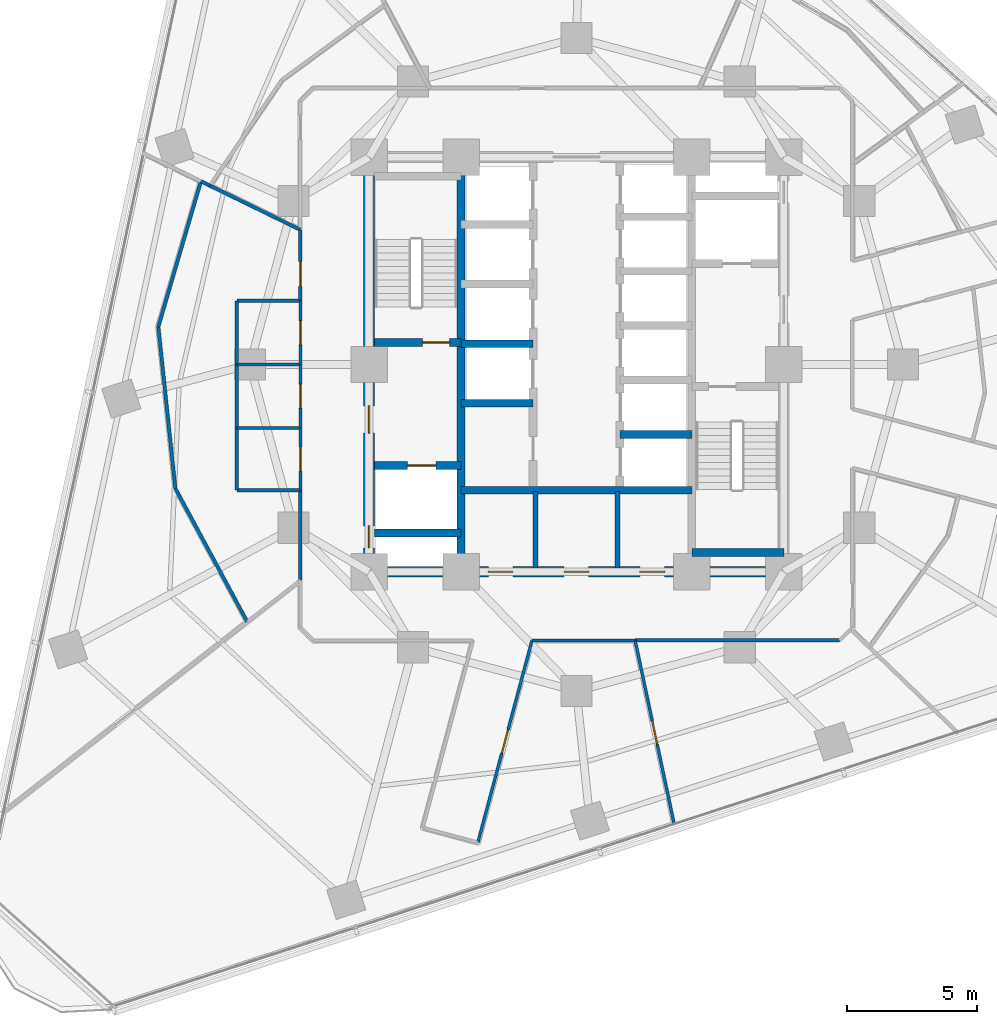
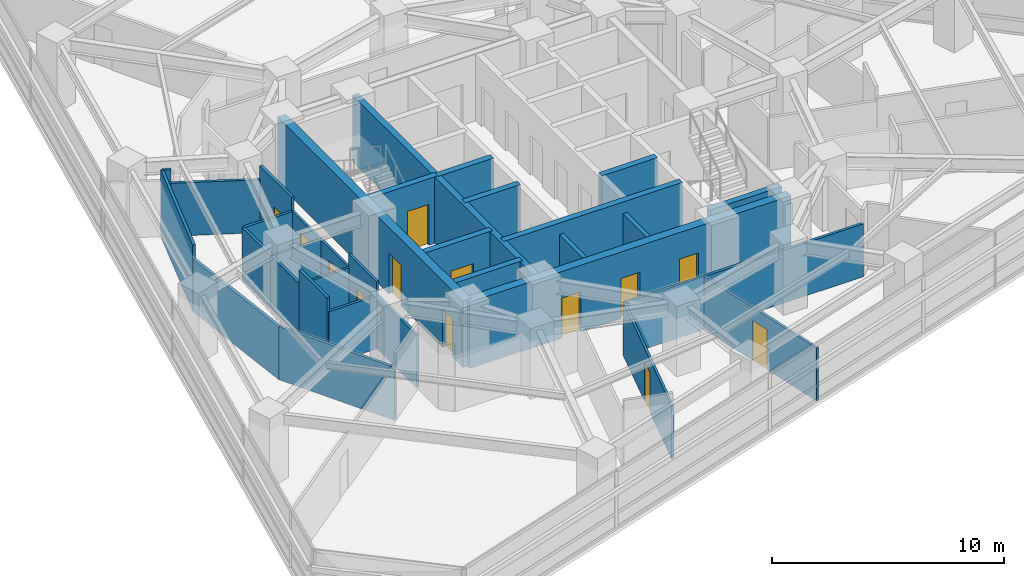
# One storey, part 7 of 13: 34 walls, 13 doors, 13 openings.
"""IFC4 building model written with IfcOpenShell, lengths in metres."""

from ifc_helpers import new_model, si_unit, direction, frame, frame_2d, origin, place, context, subcontext, project, spatial, rectangle, extrude, material, layer, layer_set, type_object, element, fill, save


model = new_model("IFC4")

# Units and contexts
model_context = context("Model", 3, precision=1e-05, world=origin(), true_north=direction((0.0, 1.0)))
body_context = subcontext(model_context, "Body", "Model", "MODEL_VIEW")
ifc_project = project(units=[si_unit("LENGTHUNIT", "METRE"), si_unit("AREAUNIT", "SQUARE_METRE"), si_unit("VOLUMEUNIT", "CUBIC_METRE"), si_unit("PLANEANGLEUNIT", "RADIAN"), si_unit("MASSUNIT", "GRAM", prefix="KILO")], contexts=[model_context])

# Site, building, storey
site_placement = place(None, origin())
site = spatial("IfcSite", under=ifc_project, at=site_placement, CompositionType="ELEMENT")
building_placement = place(site_placement, origin())
building = spatial("IfcBuilding", under=site, at=building_placement, Name="Terralouvre Media Tower", CompositionType="ELEMENT")
storey_placement = place(building_placement, frame((0.0, 0.0, 108.800048828125)))
storey = spatial("IfcBuildingStorey", under=building, at=storey_placement, Name="L27", CompositionType="ELEMENT", Elevation=108.800048828125)

# Wall
ifc_material_1 = material(Name="Concrete C50/60", Category="concrete")
ifc_layer_1 = layer(ifc_material_1, 0.300048828125, Name="Core Internal Shaft Wall CW-300")
ifc_layer_set_1 = layer_set([ifc_layer_1], Name="Concrete C50/60")
wall_type_1 = type_object("IfcWallType", Name="Core Internal Shaft Wall CW-300", PredefinedType="SHEAR", material=ifc_layer_set_1)
wall_1_placement = place(storey_placement, frame((-4.449951171875, -7.7900390625, 0.0), z_axis=(0.0, 0.0, 1.0), x_axis=(0.0, 1.0, 0.0)))
element("IfcWall", 1, at=wall_1_placement, inside=storey, type_object=wall_type_1, Name="L27 Core Shaft Wall SPW", PredefinedType="SHEAR", context=body_context, shape_type="SweptSolid", body=[
    extrude(rectangle(XDim=15.580078125, YDim=0.300048828125, at=frame_2d((7.7900390625, 0.0))), origin(), (0.0, 0.0, 1.0), 3.5),
])

# Wall, opening, door
wall_2_placement = place(storey_placement, frame((-7.7900390625, 0.85009765625, 0.0), z_axis=(0.0, 0.0, 1.0), x_axis=(1.0, 0.0, 0.0)))
wall_2 = element("IfcWall", 2, at=wall_2_placement, inside=storey, type_object=wall_type_1, Name="L27 Core Shaft Wall ST1D", PredefinedType="SHEAR", context=body_context, shape_type="SweptSolid", body=[
    extrude(rectangle(XDim=3.340087890625, YDim=0.300048828125, at=frame_2d((1.669921875, 0.0))), origin(), (0.0, 0.0, 1.0), 3.5),
])
opening_1_placement = place(wall_2_placement, frame((1.85009765625, 0.0, 0.0)))
opening_1 = element("IfcOpeningElement", 3, at=opening_1_placement, cuts=wall_2, Name="Opening FD-01-105X215", PredefinedType="OPENING", context=body_context, shape_type="SweptSolid", body=[
    extrude(rectangle(XDim=1.050048828125, YDim=2.14990234375, at=frame_2d((0.52490234375, 1.074951171875))), frame((0.0, 0.159912109375, 0.0), z_axis=(0.0, -1.0, 0.0), x_axis=(1.0, 0.0, 0.0)), (0.0, 0.0, 1.0), 0.320068359375),
])
ifc_material_2 = material(Name="Galvanised steel fire-resisting leaf", Category="steel")
door_type_1 = type_object("IfcDoorType", Name="Stair and Firefighting Lobby Fire Door FD-01 (1050x2150)", OperationType="NOTDEFINED", PredefinedType="DOOR", material=ifc_material_2)
door_1_placement = place(opening_1_placement, origin())
door_1 = element("IfcDoor", 4, at=door_1_placement, inside=storey, type_object=door_type_1, Name="L27 ST-01 Exit Stair Door", OperationType="SINGLE_SWING_LEFT", OverallHeight=2.14990234375, OverallWidth=1.050048828125, PredefinedType="DOOR", context=body_context, shape_type="SweptSolid", body=[
    extrude(rectangle(XDim=1.050048828125, YDim=2.14990234375, at=frame_2d((0.52490234375, 1.074951171875))), frame((0.0, 0.02490234375, 0.0), z_axis=(0.0, -1.0, 0.0), x_axis=(1.0, 0.0, 0.0)), (0.0, 0.0, 1.0), 0.050048828125),
])
fill(opening_1, door_1)

# Wall
wall_3_placement = place(storey_placement, frame((4.449951171875, -7.260009765625, 0.0), z_axis=(0.0, 0.0, 1.0), x_axis=(1.0, 0.0, 0.0)))
element("IfcWall", 5, at=wall_3_placement, inside=storey, type_object=wall_type_1, Name="L27 Core Shaft Wall ST2F", PredefinedType="SHEAR", context=body_context, shape_type="SweptSolid", body=[
    extrude(rectangle(XDim=3.550048828125, YDim=0.300048828125, at=frame_2d((1.77490234375, 0.0))), origin(), (0.0, 0.0, 1.0), 3.5),
])

# Wall, opening, door
wall_4_placement = place(storey_placement, frame((-7.7900390625, -3.89990234375, 0.0), z_axis=(0.0, 0.0, 1.0), x_axis=(1.0, 0.0, 0.0)))
wall_4 = element("IfcWall", 6, at=wall_4_placement, inside=storey, type_object=wall_type_1, Name="L27 Core Shaft Wall FF1N", PredefinedType="SHEAR", context=body_context, shape_type="SweptSolid", body=[
    extrude(rectangle(XDim=3.340087890625, YDim=0.300048828125, at=frame_2d((1.669921875, 0.0))), origin(), (0.0, 0.0, 1.0), 3.5),
])
opening_2_placement = place(wall_4_placement, frame((1.27001953125, 0.0, 0.0)))
opening_2 = element("IfcOpeningElement", 7, at=opening_2_placement, cuts=wall_4, Name="Opening LD-FF", PredefinedType="OPENING", context=body_context, shape_type="SweptSolid", body=[
    extrude(rectangle(XDim=1.10009765625, YDim=2.10009765625, at=frame_2d((0.550048828125, 1.050048828125))), frame((0.0, 0.159912109375, 0.0), z_axis=(0.0, -1.0, 0.0), x_axis=(1.0, 0.0, 0.0)), (0.0, 0.0, 1.0), 0.320068359375),
])
ifc_material_3 = material(Name="Stainless steel 316 handrail and balustrade", Category="steel")
door_type_2 = type_object("IfcDoorType", Name="Firefighting Lift Sliding Landing Door LD-FF", OperationType="SLIDING_TO_LEFT", PredefinedType="DOOR", material=ifc_material_3)
door_2_placement = place(opening_2_placement, origin())
door_2 = element("IfcDoor", 8, at=door_2_placement, inside=storey, type_object=door_type_2, Name="L27 Firefighting Lift FFL-01 Landing Door", OperationType="SLIDING_TO_LEFT", OverallHeight=2.10009765625, OverallWidth=1.10009765625, PredefinedType="DOOR", context=body_context, shape_type="SweptSolid", body=[
    extrude(rectangle(XDim=1.10009765625, YDim=2.10009765625, at=frame_2d((0.550048828125, 1.050048828125))), frame((0.0, 0.02490234375, 0.0), z_axis=(0.0, -1.0, 0.0), x_axis=(1.0, 0.0, 0.0)), (0.0, 0.0, 1.0), 0.050048828125),
])
fill(opening_2, door_2)

# Walls
wall_5_placement = place(storey_placement, frame((-7.7900390625, -6.5, 0.0), z_axis=(0.0, 0.0, 1.0), x_axis=(1.0, 0.0, 0.0)))
element("IfcWall", 9, at=wall_5_placement, inside=storey, type_object=wall_type_1, Name="L27 Core Shaft Wall FF1S", PredefinedType="SHEAR", context=body_context, shape_type="SweptSolid", body=[
    extrude(rectangle(XDim=3.340087890625, YDim=0.300048828125, at=frame_2d((1.669921875, 0.0))), origin(), (0.0, 0.0, 1.0), 3.5),
])
wall_6_placement = place(storey_placement, frame((-4.449951171875, -4.85009765625, 0.0), z_axis=(0.0, 0.0, 1.0), x_axis=(1.0, 0.0, 0.0)))
element("IfcWall", 10, at=wall_6_placement, inside=storey, type_object=wall_type_1, Name="L27 Core Shaft Wall CSBN", PredefinedType="SHEAR", context=body_context, shape_type="SweptSolid", body=[
    extrude(rectangle(XDim=8.89990234375, YDim=0.300048828125, at=frame_2d((4.449951171875, 0.0))), origin(), (0.0, 0.0, 1.0), 3.5),
])
for number, where, z_axis, x_axis, name in (
    (11, (-4.449951171875, -1.5, 0.0), (0.0, 0.0, 1.0), (1.0, 0.0, 0.0), "L27 Core Shaft Wall PLLD0"),
    (12, (-4.449951171875, 0.800048828125, 0.0), (0.0, 0.0, 1.0), (1.0, 0.0, 0.0), "L27 Core Shaft Wall PLLD1"),
    (13, (1.679931640625, -2.699951171875, 0.0), (0.0, 0.0, 1.0), (1.0, 0.0, 0.0), "L27 Core Shaft Wall PLHD1"),
):
    element("IfcWall", number, at=place(storey_placement, frame(where, z_axis=z_axis, x_axis=x_axis)), inside=storey, type_object=wall_type_1, Name=name, PredefinedType="SHEAR", context=body_context, shape_type="SweptSolid", body=[
        extrude(rectangle(XDim=2.77001953125, YDim=0.300048828125, at=frame_2d((1.385009765625, 0.0))), origin(), (0.0, 0.0, 1.0), 3.5),
    ])

# Wall, openings, doors
ifc_material_4 = material(Name="Concrete C60/75", Category="concrete")
ifc_layer_2 = layer(ifc_material_4, 0.419921875, Name="Core Reinforced Concrete Shear Wall CW-420")
ifc_layer_set_2 = layer_set([ifc_layer_2], Name="Concrete C60/75")
wall_type_2 = type_object("IfcWallType", Name="Core Reinforced Concrete Shear Wall CW-420", PredefinedType="SHEAR", material=ifc_layer_set_2)
wall_7_placement = place(storey_placement, frame((-8.0, -8.0, 0.0), z_axis=(0.0, 0.0, 1.0), x_axis=(0.0, 1.0, 0.0)))
wall_7 = element("IfcWall", 14, at=wall_7_placement, inside=storey, type_object=wall_type_2, Name="L27 W Core Shear Wall", PredefinedType="SHEAR", context=body_context, shape_type="SweptSolid", body=[
    extrude(rectangle(XDim=16.0, YDim=0.419921875, at=frame_2d((8.0, 0.0))), origin(), (0.0, 0.0, 1.0), 3.5),
])
opening_3_placement = place(wall_7_placement, frame((0.921630859375, 0.0, 0.0)))
opening_3 = element("IfcOpeningElement", 15, at=opening_3_placement, cuts=wall_7, Name="Opening TD-R1", PredefinedType="OPENING", context=body_context, shape_type="SweptSolid", body=[
    extrude(rectangle(XDim=0.85009765625, YDim=2.02001953125, at=frame_2d((0.425048828125, 1.010009765625))), frame((0.0, 0.219970703125, 0.0), z_axis=(0.0, -1.0, 0.0), x_axis=(1.0, 0.0, 0.0)), (0.0, 0.0, 1.0), 0.43994140625),
])
opening_4_placement = place(wall_7_placement, frame((5.35009765625, 0.0, 0.0)))
opening_4 = element("IfcOpeningElement", 16, at=opening_4_placement, cuts=wall_7, Name="Opening FD-01-105X215", PredefinedType="OPENING", context=body_context, shape_type="SweptSolid", body=[
    extrude(rectangle(XDim=1.050048828125, YDim=2.14990234375, at=frame_2d((0.52490234375, 1.074951171875))), frame((0.0, 0.219970703125, 0.0), z_axis=(0.0, -1.0, 0.0), x_axis=(1.0, 0.0, 0.0)), (0.0, 0.0, 1.0), 0.43994140625),
])
ifc_material_5 = material(Name="Galvanised steel fire-resisting leaf", Category="steel")
door_type_3 = type_object("IfcDoorType", Name="Riser Inspection Access Trapdoor TD-R1", OperationType="NOTDEFINED", PredefinedType="TRAPDOOR", material=ifc_material_5)
door_3_placement = place(opening_3_placement, origin())
door_3 = element("IfcDoor", 17, at=door_3_placement, inside=storey, type_object=door_type_3, Name="L27 Wet Riser Access Trapdoor", OperationType="SINGLE_SWING_LEFT", OverallHeight=2.02001953125, OverallWidth=0.85009765625, PredefinedType="TRAPDOOR", context=body_context, shape_type="SweptSolid", body=[
    extrude(rectangle(XDim=0.85009765625, YDim=2.02001953125, at=frame_2d((0.425048828125, 1.010009765625))), frame((0.0, 0.02490234375, 0.0), z_axis=(0.0, -1.0, 0.0), x_axis=(1.0, 0.0, 0.0)), (0.0, 0.0, 1.0), 0.050048828125),
])
fill(opening_3, door_3)
door_4_placement = place(opening_4_placement, origin())
door_4 = element("IfcDoor", 18, at=door_4_placement, inside=storey, type_object=door_type_1, Name="L27 West Firefighting Lobby Entry Door", OperationType="SINGLE_SWING_RIGHT", OverallHeight=2.14990234375, OverallWidth=1.050048828125, PredefinedType="DOOR", context=body_context, shape_type="SweptSolid", body=[
    extrude(rectangle(XDim=1.050048828125, YDim=2.14990234375, at=frame_2d((0.52490234375, 1.074951171875))), frame((0.0, 0.02490234375, 0.0), z_axis=(0.0, -1.0, 0.0), x_axis=(1.0, 0.0, 0.0)), (0.0, 0.0, 1.0), 0.050048828125),
])
fill(opening_4, door_4)

wall_8_placement = place(storey_placement, frame((-8.0, -8.0, 0.0), z_axis=(0.0, 0.0, 1.0), x_axis=(1.0, 0.0, 0.0)))
wall_8 = element("IfcWall", 19, at=wall_8_placement, inside=storey, type_object=wall_type_2, Name="L27 S Core Shear Wall", PredefinedType="SHEAR", context=body_context, shape_type="SweptSolid", body=[
    extrude(rectangle(XDim=16.0, YDim=0.419921875, at=frame_2d((8.0, 0.0))), origin(), (0.0, 0.0, 1.0), 3.5),
])
opening_5_placement = place(wall_8_placement, frame((4.60009765625, 0.0, 0.0)))
opening_5 = element("IfcOpeningElement", 20, at=opening_5_placement, cuts=wall_8, Name="Opening FD-02-95X210", PredefinedType="OPENING", context=body_context, shape_type="SweptSolid", body=[
    extrude(rectangle(XDim=0.949951171875, YDim=2.10009765625, at=frame_2d((0.47509765625, 1.050048828125))), frame((0.0, 0.219970703125, 0.0), z_axis=(0.0, -1.0, 0.0), x_axis=(1.0, 0.0, 0.0)), (0.0, 0.0, 1.0), 0.43994140625),
])
opening_6_placement = place(wall_8_placement, frame((7.52001953125, 0.0, 0.0)))
opening_6 = element("IfcOpeningElement", 21, at=opening_6_placement, cuts=wall_8, Name="Opening FD-02-95X210", PredefinedType="OPENING", context=body_context, shape_type="SweptSolid", body=[
    extrude(rectangle(XDim=0.949951171875, YDim=2.10009765625, at=frame_2d((0.47509765625, 1.050048828125))), frame((0.0, 0.219970703125, 0.0), z_axis=(0.0, -1.0, 0.0), x_axis=(1.0, 0.0, 0.0)), (0.0, 0.0, 1.0), 0.43994140625),
])
opening_7_placement = place(wall_8_placement, frame((10.449951171875, 0.0, 0.0)))
opening_7 = element("IfcOpeningElement", 22, at=opening_7_placement, cuts=wall_8, Name="Opening FD-02-95X210", PredefinedType="OPENING", context=body_context, shape_type="SweptSolid", body=[
    extrude(rectangle(XDim=0.949951171875, YDim=2.10009765625, at=frame_2d((0.47509765625, 1.050048828125))), frame((0.0, 0.219970703125, 0.0), z_axis=(0.0, -1.0, 0.0), x_axis=(1.0, 0.0, 0.0)), (0.0, 0.0, 1.0), 0.43994140625),
])
ifc_material_6 = material(Name="Galvanised steel fire-resisting leaf", Category="steel")
door_type_4 = type_object("IfcDoorType", Name="Plant and Riser Fire Door FD-02 (950x2100)", OperationType="NOTDEFINED", PredefinedType="DOOR", material=ifc_material_6)
door_5_placement = place(opening_5_placement, origin())
door_5 = element("IfcDoor", 23, at=door_5_placement, inside=storey, type_object=door_type_4, Name="L27 Core Janitor Store Door", OperationType="SINGLE_SWING_LEFT", OverallHeight=2.10009765625, OverallWidth=0.949951171875, PredefinedType="DOOR", context=body_context, shape_type="SweptSolid", body=[
    extrude(rectangle(XDim=0.949951171875, YDim=2.10009765625, at=frame_2d((0.47509765625, 1.050048828125))), frame((0.0, 0.02490234375, 0.0), z_axis=(0.0, -1.0, 0.0), x_axis=(1.0, 0.0, 0.0)), (0.0, 0.0, 1.0), 0.050048828125),
])
fill(opening_5, door_5)
door_6_placement = place(opening_6_placement, origin())
door_6 = element("IfcDoor", 24, at=door_6_placement, inside=storey, type_object=door_type_4, Name="L27 Core Linen Store Door", OperationType="SINGLE_SWING_RIGHT", OverallHeight=2.10009765625, OverallWidth=0.949951171875, PredefinedType="DOOR", context=body_context, shape_type="SweptSolid", body=[
    extrude(rectangle(XDim=0.949951171875, YDim=2.10009765625, at=frame_2d((0.47509765625, 1.050048828125))), frame((0.0, 0.02490234375, 0.0), z_axis=(0.0, -1.0, 0.0), x_axis=(1.0, 0.0, 0.0)), (0.0, 0.0, 1.0), 0.050048828125),
])
fill(opening_6, door_6)
door_7_placement = place(opening_7_placement, origin())
door_7 = element("IfcDoor", 25, at=door_7_placement, inside=storey, type_object=door_type_4, Name="L27 Core Metering Plant Door", OperationType="SINGLE_SWING_LEFT", OverallHeight=2.10009765625, OverallWidth=0.949951171875, PredefinedType="DOOR", context=body_context, shape_type="SweptSolid", body=[
    extrude(rectangle(XDim=0.949951171875, YDim=2.10009765625, at=frame_2d((0.47509765625, 1.050048828125))), frame((0.0, 0.02490234375, 0.0), z_axis=(0.0, -1.0, 0.0), x_axis=(1.0, 0.0, 0.0)), (0.0, 0.0, 1.0), 0.050048828125),
])
fill(opening_7, door_7)

# Walls
ifc_material_7 = material(Name="Fire-rated gypsum board drywall partition")
ifc_layer_3 = layer(ifc_material_7, 0.199951171875, Name="Fire-Rated Shaft and Lobby Partition FW-200")
ifc_layer_set_3 = layer_set([ifc_layer_3], Name="Fire-rated gypsum board drywall partition")
wall_type_3 = type_object("IfcWallType", Name="Fire-Rated Shaft and Lobby Partition FW-200", PredefinedType="SOLIDWALL", material=ifc_layer_set_3)
for number, where, z_axis, x_axis, name in (
    (26, (-1.580078125, -7.85009765625, 0.0), (0.0, 0.0, 1.0), (0.0, 1.0, 0.0), "L27 Core Service Bay Partition 1"),
    (27, (1.580078125, -7.85009765625, 0.0), (0.0, 0.0, 1.0), (0.0, 1.0, 0.0), "L27 Core Service Bay Partition 2"),
):
    element("IfcWall", number, at=place(storey_placement, frame(where, z_axis=z_axis, x_axis=x_axis)), inside=storey, type_object=wall_type_3, Name=name, PredefinedType="SOLIDWALL", context=body_context, shape_type="SweptSolid", body=[
        extrude(rectangle(XDim=2.9501953125, YDim=0.199951171875, at=frame_2d((1.47509765625, 0.0))), origin(), (0.0, 0.0, 1.0), 2.885009765625),
    ])
ifc_material_8 = material(Name="Fire-rated gypsum board drywall partition")
ifc_layer_4 = layer(ifc_material_8, 0.135009765625, Name="Newsroom Acoustic Partition PT-135")
ifc_layer_set_4 = layer_set([ifc_layer_4], Name="Fire-rated gypsum board drywall partition")
wall_type_4 = type_object("IfcWallType", Name="Newsroom Acoustic Partition PT-135", PredefinedType="PARTITIONING", material=ifc_layer_set_4)
wall_9_placement = place(storey_placement, frame((-10.64990234375, -4.85009765625, 0.0), z_axis=(0.0, 0.0, 1.0), x_axis=(0.0, -1.0, 0.0)))
element("IfcWall", 28, at=wall_9_placement, inside=storey, type_object=wall_type_4, Name="L27 Interior Partition 021", PredefinedType="PARTITIONING", context=body_context, shape_type="SweptSolid", body=[
    extrude(rectangle(XDim=3.470947265625, YDim=0.135009765625, at=frame_2d((1.7353515625, 0.0))), origin(), (0.0, 0.0, 1.0), 2.784912109375),
])

# Wall, opening, door
wall_10_placement = place(storey_placement, frame((-10.64990234375, 5.194091796875, 0.0), z_axis=(0.0, 0.0, 1.0), x_axis=(0.0, -1.0, 0.0)))
wall_10 = element("IfcWall", 29, at=wall_10_placement, inside=storey, type_object=wall_type_4, Name="L27 Interior Partition 022", PredefinedType="PARTITIONING", context=body_context, shape_type="SweptSolid", body=[
    extrude(rectangle(XDim=2.744140625, YDim=0.135009765625, at=frame_2d((1.3720703125, 0.0))), origin(), (0.0, 0.0, 1.0), 3.5),
])
opening_8_placement = place(wall_10_placement, frame((1.226318359375, 0.0, 0.0)))
opening_8 = element("IfcOpeningElement", 30, at=opening_8_placement, cuts=wall_10, Name="Opening ID-02-95X210", PredefinedType="OPENING", context=body_context, shape_type="SweptSolid", body=[
    extrude(rectangle(XDim=0.949951171875, YDim=2.10009765625, at=frame_2d((0.47509765625, 1.050048828125))), frame((0.0, 0.077392578125, 0.0), z_axis=(0.0, -1.0, 0.0), x_axis=(1.0, 0.0, 0.0)), (0.0, 0.0, 1.0), 0.155029296875),
])
ifc_material_9 = material(Name="Engineered hardwood acoustic timber leaf", Category="wood")
door_type_5 = type_object("IfcDoorType", Name="Office and Meeting Room Door ID-02 (950x2100)", OperationType="NOTDEFINED", PredefinedType="DOOR", material=ifc_material_9)
door_8_placement = place(opening_8_placement, origin())
door_8 = element("IfcDoor", 31, at=door_8_placement, inside=storey, type_object=door_type_5, Name="L27 Gym Equipment Closet 6 Door", OperationType="SINGLE_SWING_LEFT", OverallHeight=2.10009765625, OverallWidth=0.949951171875, PredefinedType="DOOR", context=body_context, shape_type="SweptSolid", body=[
    extrude(rectangle(XDim=0.949951171875, YDim=2.10009765625, at=frame_2d((0.47509765625, 1.050048828125))), frame((0.0, 0.02490234375, 0.0), z_axis=(0.0, -1.0, 0.0), x_axis=(1.0, 0.0, 0.0)), (0.0, 0.0, 1.0), 0.050048828125),
])
fill(opening_8, door_8)

# Walls
wall_11_placement = place(storey_placement, frame((2.263916015625, -10.64990234375, 0.0), z_axis=(0.0, 0.0, 1.0), x_axis=(1.0, 0.0, 0.0)))
element("IfcWall", 32, at=wall_11_placement, inside=storey, type_object=wall_type_4, Name="L27 Interior Partition 025", PredefinedType="PARTITIONING", context=body_context, shape_type="SweptSolid", body=[
    extrude(rectangle(XDim=7.885986328125, YDim=0.135009765625, at=frame_2d((3.94287109375, 0.0))), origin(), (0.0, 0.0, 1.0), 2.784912109375),
])
wall_12_placement = place(storey_placement, frame((-13.10009765625, -2.449951171875, 0.0), z_axis=(0.0, 0.0, 1.0), x_axis=(0.0, 1.0, 0.0)))
element("IfcWall", 33, at=wall_12_placement, inside=storey, type_object=wall_type_4, Name="L27 Interior Partition 048", PredefinedType="PARTITIONING", context=body_context, shape_type="SweptSolid", body=[
    extrude(rectangle(XDim=2.449951171875, YDim=0.135009765625, at=frame_2d((1.22509765625, 0.0))), origin(), (0.0, 0.0, 1.0), 2.77490234375),
])
wall_13_placement = place(storey_placement, frame((-10.64990234375, -4.85009765625, 0.0), z_axis=(0.0, 0.0, 1.0), x_axis=(-1.0, 0.0, 0.0)))
element("IfcWall", 34, at=wall_13_placement, inside=storey, type_object=wall_type_4, Name="L27 Interior Partition 049", PredefinedType="PARTITIONING", context=body_context, shape_type="SweptSolid", body=[
    extrude(rectangle(XDim=2.4501953125, YDim=0.135009765625, at=frame_2d((1.22509765625, 0.0))), origin(), (0.0, 0.0, 1.0), 2.784912109375),
])
wall_14_placement = place(storey_placement, frame((-13.10009765625, -4.85009765625, 0.0), z_axis=(0.0, 0.0, 1.0), x_axis=(0.0, 1.0, 0.0)))
element("IfcWall", 35, at=wall_14_placement, inside=storey, type_object=wall_type_4, Name="L27 Interior Partition 050", PredefinedType="PARTITIONING", context=body_context, shape_type="SweptSolid", body=[
    extrude(rectangle(XDim=2.400146484375, YDim=0.135009765625, at=frame_2d((1.2001953125, 0.0))), origin(), (0.0, 0.0, 1.0), 3.5),
])
wall_15_placement = place(storey_placement, frame((-14.490966796875, 7.068115234375, 0.0), z_axis=(0.0, 0.0, 1.0), x_axis=(-0.28111457881, -0.95967421221, 0.0)))
element("IfcWall", 36, at=wall_15_placement, inside=storey, type_object=wall_type_4, Name="L27 Interior Partition 051", PredefinedType="PARTITIONING", context=body_context, shape_type="SweptSolid", body=[
    extrude(rectangle(XDim=5.8447265625, YDim=0.135009765625, at=frame_2d((2.92236328125, 0.0))), origin(), (0.0, 0.0, 1.0), 3.489990234375),
])
wall_16_placement = place(storey_placement, frame((-16.134033203125, 1.458984375, 0.0), z_axis=(0.0, 0.0, 1.0), x_axis=(0.104553126753, -0.994519302822, 0.0)))
element("IfcWall", 37, at=wall_16_placement, inside=storey, type_object=wall_type_4, Name="L27 Interior Partition 052", PredefinedType="PARTITIONING", context=body_context, shape_type="SweptSolid", body=[
    extrude(rectangle(XDim=6.2744140625, YDim=0.135009765625, at=frame_2d((3.13720703125, 0.0))), origin(), (0.0, 0.0, 1.0), 2.77490234375),
])
wall_17_placement = place(storey_placement, frame((-15.47802734375, -4.781005859375, 0.0), z_axis=(0.0, 0.0, 1.0), x_axis=(0.47456801742, -0.880218834633, 0.0)))
element("IfcWall", 38, at=wall_17_placement, inside=storey, type_object=wall_type_4, Name="L27 Interior Partition 053", PredefinedType="PARTITIONING", context=body_context, shape_type="SweptSolid", body=[
    extrude(rectangle(XDim=5.84521484375, YDim=0.135009765625, at=frame_2d((2.922607421875, 0.0))), origin(), (0.0, 0.0, 1.0), 2.784912109375),
])
wall_18_placement = place(storey_placement, frame((-14.14208984375, 6.89794921875, 0.0), z_axis=(0.0, 0.0, 1.0), x_axis=(-0.898786579289, 0.438386456098, 0.0)))
element("IfcWall", 39, at=wall_18_placement, inside=storey, type_object=wall_type_4, Name="L27 Interior Partition 054", PredefinedType="PARTITIONING", context=body_context, shape_type="SweptSolid", body=[
    extrude(rectangle(XDim=0.38818359375, YDim=0.135009765625, at=frame_2d((0.194091796875, 0.0))), origin(), (0.0, 0.0, 1.0), 3.5),
])
wall_19_placement = place(storey_placement, frame((-10.64990234375, 5.194091796875, 0.0), z_axis=(0.0, 0.0, 1.0), x_axis=(-0.898732815367, 0.438496666558, 0.0)))
element("IfcWall", 40, at=wall_19_placement, inside=storey, type_object=wall_type_4, Name="L27 Interior Partition 055", PredefinedType="PARTITIONING", context=body_context, shape_type="SweptSolid", body=[
    extrude(rectangle(XDim=3.8857421875, YDim=0.135009765625, at=frame_2d((1.94287109375, 0.0))), origin(), (0.0, 0.0, 1.0), 2.784912109375),
])
wall_20_placement = place(storey_placement, frame((-13.10009765625, 0.0, 0.0), z_axis=(0.0, 0.0, 1.0), x_axis=(0.0, 1.0, 0.0)))
element("IfcWall", 41, at=wall_20_placement, inside=storey, type_object=wall_type_4, Name="L27 Interior Partition 056", PredefinedType="PARTITIONING", context=body_context, shape_type="SweptSolid", body=[
    extrude(rectangle(XDim=2.449951171875, YDim=0.135009765625, at=frame_2d((1.22509765625, 0.0))), origin(), (0.0, 0.0, 1.0), 2.77490234375),
])
wall_21_placement = place(storey_placement, frame((-13.10009765625, 2.449951171875, 0.0), z_axis=(0.0, 0.0, 1.0), x_axis=(1.0, 0.0, 0.0)))
element("IfcWall", 42, at=wall_21_placement, inside=storey, type_object=wall_type_4, Name="L27 Interior Partition 057", PredefinedType="PARTITIONING", context=body_context, shape_type="SweptSolid", body=[
    extrude(rectangle(XDim=2.4501953125, YDim=0.135009765625, at=frame_2d((1.22509765625, 0.0))), origin(), (0.0, 0.0, 1.0), 2.784912109375),
])

# Wall, opening, door
ifc_material_10 = material(Name="Fire-rated gypsum board drywall partition")
ifc_layer_5 = layer(ifc_material_10, 0.114990234375, Name="Restroom and Pantry Partition PT-115")
ifc_layer_set_5 = layer_set([ifc_layer_5], Name="Fire-rated gypsum board drywall partition")
wall_type_5 = type_object("IfcWallType", Name="Restroom and Pantry Partition PT-115", PredefinedType="PARTITIONING", material=ifc_layer_set_5)
wall_22_placement = place(storey_placement, frame((-3.802978515625, -18.444091796875, 0.0), z_axis=(0.0, 0.0, 1.0), x_axis=(0.258754737882, 0.965943055062, 0.0)))
wall_22 = element("IfcWall", 43, at=wall_22_placement, inside=storey, type_object=wall_type_5, Name="L27 Interior Partition 006", PredefinedType="PARTITIONING", context=body_context, shape_type="SweptSolid", body=[
    extrude(rectangle(XDim=8.069091796875, YDim=0.114990234375, at=frame_2d((4.03466796875, 0.0))), origin(), (0.0, 0.0, 1.0), 2.784912109375),
])
opening_9_placement = place(wall_22_placement, frame((3.559326171875, 0.0, 0.0)))
opening_9 = element("IfcOpeningElement", 44, at=opening_9_placement, cuts=wall_22, Name="Opening SD-01-95X210", PredefinedType="OPENING", context=body_context, shape_type="SweptSolid", body=[
    extrude(rectangle(XDim=0.949951171875, YDim=2.10009765625, at=frame_2d((0.47509765625, 1.050048828125))), frame((0.0, 0.0673828125, 0.0), z_axis=(0.0, -1.0, 0.0), x_axis=(1.0, 0.0, 0.0)), (0.0, 0.0, 1.0), 0.135009765625),
])
ifc_material_11 = material(Name="Anodised extruded aluminium 6063-T6", Category="aluminium")
door_type_6 = type_object("IfcDoorType", Name="Pantry Pocket Sliding Door SD-01 (950x2100)", OperationType="SLIDING_TO_LEFT", PredefinedType="DOOR", material=ifc_material_11)
door_9_placement = place(opening_9_placement, origin())
door_9 = element("IfcDoor", 45, at=door_9_placement, inside=storey, type_object=door_type_6, Name="L27 Nutrition Tea Pantry 1 Door", OperationType="SLIDING_TO_LEFT", OverallHeight=2.10009765625, OverallWidth=0.949951171875, PredefinedType="DOOR", context=body_context, shape_type="SweptSolid", body=[
    extrude(rectangle(XDim=0.949951171875, YDim=2.10009765625, at=frame_2d((0.47509765625, 1.050048828125))), frame((0.0, 0.02490234375, 0.0), z_axis=(0.0, -1.0, 0.0), x_axis=(1.0, 0.0, 0.0)), (0.0, 0.0, 1.0), 0.050048828125),
])
fill(opening_9, door_9)

# Wall
wall_23_placement = place(storey_placement, frame((-1.715087890625, -10.64990234375, 0.0), z_axis=(0.0, 0.0, 1.0), x_axis=(1.0, 0.0, 0.0)))
element("IfcWall", 46, at=wall_23_placement, inside=storey, type_object=wall_type_5, Name="L27 Interior Partition 007", PredefinedType="PARTITIONING", context=body_context, shape_type="SweptSolid", body=[
    extrude(rectangle(XDim=3.97900390625, YDim=0.114990234375, at=frame_2d((1.989501953125, 0.0))), origin(), (0.0, 0.0, 1.0), 2.784912109375),
])

# Wall, opening, door
wall_24_placement = place(storey_placement, frame((-10.64990234375, 0.0, 0.0), z_axis=(0.0, 0.0, 1.0), x_axis=(0.0, -1.0, 0.0)))
wall_24 = element("IfcWall", 47, at=wall_24_placement, inside=storey, type_object=wall_type_5, Name="L27 Interior Partition 023", PredefinedType="PARTITIONING", context=body_context, shape_type="SweptSolid", body=[
    extrude(rectangle(XDim=2.449951171875, YDim=0.114990234375, at=frame_2d((1.22509765625, 0.0))), origin(), (0.0, 0.0, 1.0), 2.784912109375),
])
opening_10_placement = place(wall_24_placement, frame((0.764892578125, 0.0, 0.0)))
opening_10 = element("IfcOpeningElement", 48, at=opening_10_placement, cuts=wall_24, Name="Opening ID-03-92X210", PredefinedType="OPENING", context=body_context, shape_type="SweptSolid", body=[
    extrude(rectangle(XDim=0.919921875, YDim=2.10009765625, at=frame_2d((0.4599609375, 1.050048828125))), frame((0.0, 0.0673828125, 0.0), z_axis=(0.0, -1.0, 0.0), x_axis=(1.0, 0.0, 0.0)), (0.0, 0.0, 1.0), 0.135009765625),
])
ifc_material_12 = material(Name="Engineered hardwood acoustic timber leaf", Category="wood")
door_type_7 = type_object("IfcDoorType", Name="Accessible Restroom and Suite Door ID-03 (920x2100)", OperationType="NOTDEFINED", PredefinedType="DOOR", material=ifc_material_12)
door_10_placement = place(opening_10_placement, origin())
door_10 = element("IfcDoor", 49, at=door_10_placement, inside=storey, type_object=door_type_7, Name="L27 Female Restroom WC Door", OperationType="SINGLE_SWING_RIGHT", OverallHeight=2.10009765625, OverallWidth=0.919921875, PredefinedType="DOOR", context=body_context, shape_type="SweptSolid", body=[
    extrude(rectangle(XDim=0.919921875, YDim=2.10009765625, at=frame_2d((0.4599609375, 1.050048828125))), frame((0.0, 0.02490234375, 0.0), z_axis=(0.0, -1.0, 0.0), x_axis=(1.0, 0.0, 0.0)), (0.0, 0.0, 1.0), 0.050048828125),
])
fill(opening_10, door_10)

wall_25_placement = place(storey_placement, frame((-10.64990234375, -2.449951171875, 0.0), z_axis=(0.0, 0.0, 1.0), x_axis=(0.0, -1.0, 0.0)))
wall_25 = element("IfcWall", 50, at=wall_25_placement, inside=storey, type_object=wall_type_5, Name="L27 Interior Partition 024", PredefinedType="PARTITIONING", context=body_context, shape_type="SweptSolid", body=[
    extrude(rectangle(XDim=2.400146484375, YDim=0.114990234375, at=frame_2d((1.2001953125, 0.0))), origin(), (0.0, 0.0, 1.0), 3.5),
])
opening_11_placement = place(wall_25_placement, frame((0.739990234375, 0.0, 0.0)))
opening_11 = element("IfcOpeningElement", 51, at=opening_11_placement, cuts=wall_25, Name="Opening ID-03-92X210", PredefinedType="OPENING", context=body_context, shape_type="SweptSolid", body=[
    extrude(rectangle(XDim=0.919921875, YDim=2.10009765625, at=frame_2d((0.4599609375, 1.050048828125))), frame((0.0, 0.0673828125, 0.0), z_axis=(0.0, -1.0, 0.0), x_axis=(1.0, 0.0, 0.0)), (0.0, 0.0, 1.0), 0.135009765625),
])
door_11_placement = place(opening_11_placement, origin())
door_11 = element("IfcDoor", 52, at=door_11_placement, inside=storey, type_object=door_type_7, Name="L27 Male Restroom WC Door", OperationType="SINGLE_SWING_LEFT", OverallHeight=2.10009765625, OverallWidth=0.919921875, PredefinedType="DOOR", context=body_context, shape_type="SweptSolid", body=[
    extrude(rectangle(XDim=0.919921875, YDim=2.10009765625, at=frame_2d((0.4599609375, 1.050048828125))), frame((0.0, 0.02490234375, 0.0), z_axis=(0.0, -1.0, 0.0), x_axis=(1.0, 0.0, 0.0)), (0.0, 0.0, 1.0), 0.050048828125),
])
fill(opening_11, door_11)

wall_26_placement = place(storey_placement, frame((-10.64990234375, 2.449951171875, 0.0), z_axis=(0.0, 0.0, 1.0), x_axis=(0.0, -1.0, 0.0)))
wall_26 = element("IfcWall", 53, at=wall_26_placement, inside=storey, type_object=wall_type_5, Name="L27 Interior Partition 034", PredefinedType="PARTITIONING", context=body_context, shape_type="SweptSolid", body=[
    extrude(rectangle(XDim=2.449951171875, YDim=0.114990234375, at=frame_2d((1.22509765625, 0.0))), origin(), (0.0, 0.0, 1.0), 2.784912109375),
])
opening_12_placement = place(wall_26_placement, frame((0.764892578125, 0.0, 0.0)))
opening_12 = element("IfcOpeningElement", 54, at=opening_12_placement, cuts=wall_26, Name="Opening ID-03-92X210", PredefinedType="OPENING", context=body_context, shape_type="SweptSolid", body=[
    extrude(rectangle(XDim=0.919921875, YDim=2.10009765625, at=frame_2d((0.4599609375, 1.050048828125))), frame((0.0, 0.0673828125, 0.0), z_axis=(0.0, -1.0, 0.0), x_axis=(1.0, 0.0, 0.0)), (0.0, 0.0, 1.0), 0.135009765625),
])
door_12_placement = place(opening_12_placement, origin())
door_12 = element("IfcDoor", 55, at=door_12_placement, inside=storey, type_object=door_type_7, Name="L27 Accessible Unisex WC Door", OperationType="SINGLE_SWING_LEFT", OverallHeight=2.10009765625, OverallWidth=0.919921875, PredefinedType="DOOR", context=body_context, shape_type="SweptSolid", body=[
    extrude(rectangle(XDim=0.919921875, YDim=2.10009765625, at=frame_2d((0.4599609375, 1.050048828125))), frame((0.0, 0.02490234375, 0.0), z_axis=(0.0, -1.0, 0.0), x_axis=(1.0, 0.0, 0.0)), (0.0, 0.0, 1.0), 0.050048828125),
])
fill(opening_12, door_12)

wall_27_placement = place(storey_placement, frame((3.7783203125, -17.7744140625, 0.0), z_axis=(0.0, 0.0, 1.0), x_axis=(-0.207917284361, 0.978146411773, 0.0)))
wall_27 = element("IfcWall", 56, at=wall_27_placement, inside=storey, type_object=wall_type_5, Name="L27 Interior Partition 037", PredefinedType="PARTITIONING", context=body_context, shape_type="SweptSolid", body=[
    extrude(rectangle(XDim=7.28369140625, YDim=0.114990234375, at=frame_2d((3.641845703125, 0.0))), origin(), (0.0, 0.0, 1.0), 2.784912109375),
])
opening_13_placement = place(wall_27_placement, frame((3.181884765625, 0.0, 0.0)))
opening_13 = element("IfcOpeningElement", 57, at=opening_13_placement, cuts=wall_27, Name="Opening ID-03-92X210", PredefinedType="OPENING", context=body_context, shape_type="SweptSolid", body=[
    extrude(rectangle(XDim=0.919921875, YDim=2.10009765625, at=frame_2d((0.4599609375, 1.050048828125))), frame((0.0, 0.0673828125, 0.0), z_axis=(0.0, -1.0, 0.0), x_axis=(1.0, 0.0, 0.0)), (0.0, 0.0, 1.0), 0.135009765625),
])
door_13_placement = place(opening_13_placement, origin())
door_13 = element("IfcDoor", 58, at=door_13_placement, inside=storey, type_object=door_type_7, Name="L27 Health and Science Editorial Open Office 8 Door", OperationType="SINGLE_SWING_LEFT", OverallHeight=2.10009765625, OverallWidth=0.919921875, PredefinedType="DOOR", context=body_context, shape_type="SweptSolid", body=[
    extrude(rectangle(XDim=0.919921875, YDim=2.10009765625, at=frame_2d((0.4599609375, 1.050048828125))), frame((0.0, 0.02490234375, 0.0), z_axis=(0.0, -1.0, 0.0), x_axis=(1.0, 0.0, 0.0)), (0.0, 0.0, 1.0), 0.050048828125),
])
fill(opening_13, door_13)

# Walls
wall_28_placement = place(storey_placement, frame((-13.10009765625, -2.449951171875, 0.0), z_axis=(0.0, 0.0, 1.0), x_axis=(1.0, 0.0, 0.0)))
element("IfcWall", 59, at=wall_28_placement, inside=storey, type_object=wall_type_5, Name="L27 Interior Partition 058", PredefinedType="PARTITIONING", context=body_context, shape_type="SweptSolid", body=[
    extrude(rectangle(XDim=2.4501953125, YDim=0.114990234375, at=frame_2d((1.22509765625, 0.0))), origin(), (0.0, 0.0, 1.0), 2.784912109375),
])
wall_29_placement = place(storey_placement, frame((-10.64990234375, 0.0, 0.0), z_axis=(0.0, 0.0, 1.0), x_axis=(-1.0, 0.0, 0.0)))
element("IfcWall", 60, at=wall_29_placement, inside=storey, type_object=wall_type_5, Name="L27 Interior Partition 059", PredefinedType="PARTITIONING", context=body_context, shape_type="SweptSolid", body=[
    extrude(rectangle(XDim=2.4501953125, YDim=0.114990234375, at=frame_2d((1.22509765625, 0.0))), origin(), (0.0, 0.0, 1.0), 2.77490234375),
])

save(model, "model.ifc")
